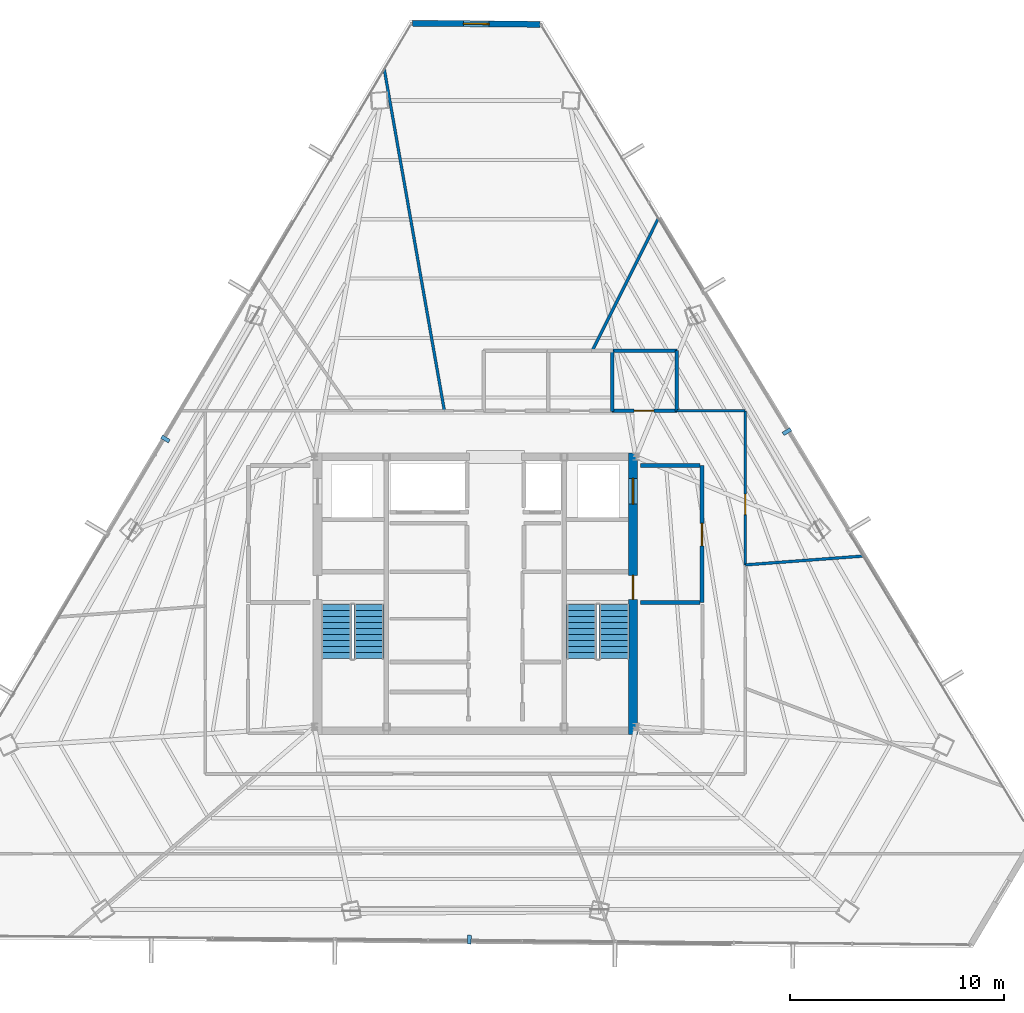
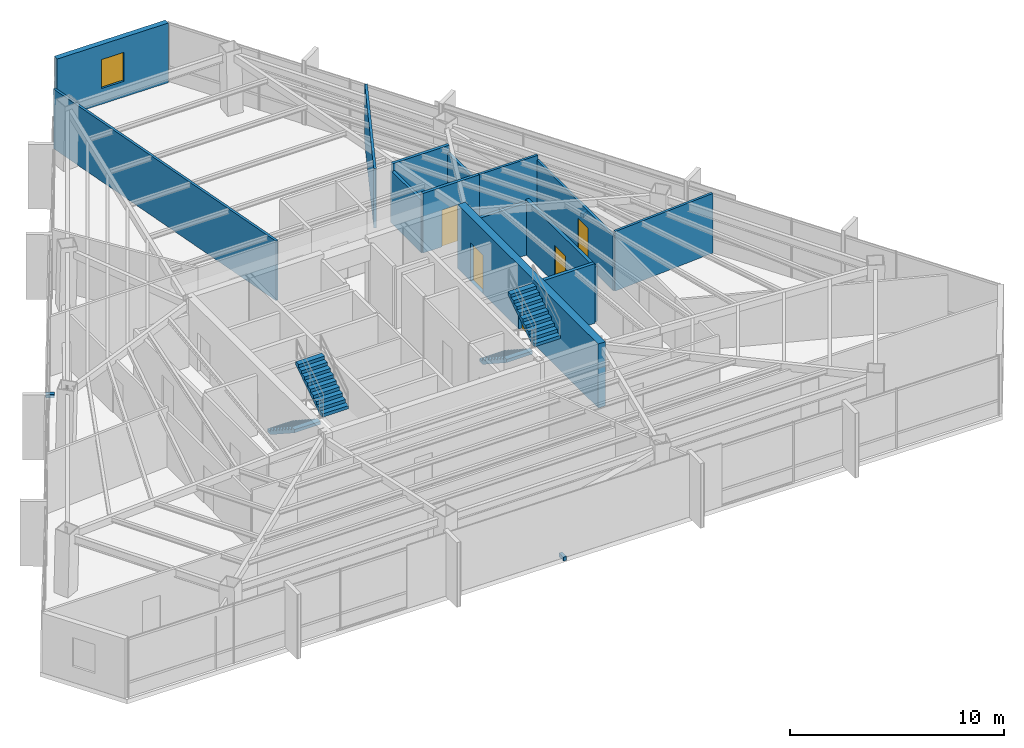
# One storey, part 44 of 47: 14 walls, 5 doors, 4 stair flights, 3 discrete accessories, 1 window, 6 openings, 2 elements without a shape of their own.
"""IFC4 building model written with IfcOpenShell, lengths in metres."""

from ifc_helpers import new_model, si_unit, direction, frame, frame_2d, origin, origin_2d, place, context, subcontext, project, spatial, polyline, rectangle, outline, extrude, source, transform, mapped, material, layer, layer_set, type_object, type_shapes, element, fill, aggregate, save


model = new_model("IFC4")

# Units and contexts
model_context = context("Model", 3, precision=1e-05, world=origin(), true_north=direction((0.0, 1.0)))
body_context = subcontext(model_context, "Body", "Model", "MODEL_VIEW")
ifc_project = project(units=[si_unit("LENGTHUNIT", "METRE"), si_unit("AREAUNIT", "SQUARE_METRE"), si_unit("VOLUMEUNIT", "CUBIC_METRE"), si_unit("PLANEANGLEUNIT", "RADIAN"), si_unit("MASSUNIT", "GRAM", prefix="KILO")], contexts=[model_context])

# Site, building, storey
site_placement = place(None, origin())
site = spatial("IfcSite", under=ifc_project, at=site_placement, CompositionType="ELEMENT")
building_placement = place(site_placement, origin())
building = spatial("IfcBuilding", under=site, at=building_placement, Name="Caelisora Broadcast Tower", CompositionType="ELEMENT")
storey_placement = place(building_placement, frame((0.0, 0.0, 229.85009765625)))
storey = spatial("IfcBuildingStorey", under=building, at=storey_placement, Name="L60", CompositionType="ELEMENT", Elevation=229.85009765625)

# Wall, openings, doors
ifc_material_1 = material(Name="Concrete 40 MPa (AS 3600 N40)", Category="concrete")
ifc_layer_1 = layer(ifc_material_1, 0.39990234375, Name="Concrete 40 MPa (AS 3600 N40)")
ifc_layer_set_1 = layer_set([ifc_layer_1], Name="Concrete 40 MPa (AS 3600 N40)")
wall_type_1 = type_object("IfcWallType", Name="CW3", PredefinedType="SHEAR", material=ifc_layer_set_1)
wall_1_placement = place(storey_placement, frame((45.360107421875, 17.050048828125, 0.0), z_axis=(0.0, 0.0, 1.0), x_axis=(0.0, 1.0, 0.0)))
wall_1 = element("IfcWall", 1, at=wall_1_placement, inside=storey, type_object=wall_type_1, Name="L60 core shear wall CW3", PredefinedType="SHEAR", context=body_context, shape_type="SweptSolid", body=[
    extrude(rectangle(XDim=13.125, YDim=0.39990234375, at=frame_2d((6.5625, 0.0))), origin(), (0.0, 0.0, 1.0), 3.64990234375),
])
opening_1_placement = place(wall_1_placement, frame((6.300048828125, 0.0, 0.0)))
opening_1 = element("IfcOpeningElement", 2, at=opening_1_placement, cuts=wall_1, Name="Opening FD04", PredefinedType="OPENING", context=body_context, shape_type="SweptSolid", body=[
    extrude(rectangle(XDim=1.1201171875, YDim=2.14990234375, at=frame_2d((0.56005859375, 1.074951171875))), frame((0.0, 0.2119140625, 0.0), z_axis=(0.0, -1.0, 0.0), x_axis=(1.0, 0.0, 0.0)), (0.0, 0.0, 1.0), 0.423828125),
])
opening_2_placement = place(wall_1_placement, frame((10.75, 0.0, 0.0)))
opening_2 = element("IfcOpeningElement", 3, at=opening_2_placement, cuts=wall_1, Name="Opening LD04", PredefinedType="OPENING", context=body_context, shape_type="SweptSolid", body=[
    extrude(rectangle(XDim=1.199951171875, YDim=2.199951171875, at=frame_2d((0.60009765625, 1.10009765625))), frame((0.0, 0.2119140625, 0.0), z_axis=(0.0, -1.0, 0.0), x_axis=(1.0, 0.0, 0.0)), (0.0, 0.0, 1.0), 0.423828125),
])
ifc_material_2 = material(Name="Pressurised Fire-Isolated Stair Door", Category="steel")
door_type_1 = type_object("IfcDoorType", Name="FD04", OperationType="NOTDEFINED", PredefinedType="DOOR", material=ifc_material_2)
door_1_placement = place(opening_1_placement, origin())
door_1 = element("IfcDoor", 4, at=door_1_placement, inside=storey, type_object=door_type_1, Name="L60 door FD04 (L60-DR-ST2)", OperationType="SINGLE_SWING_RIGHT", OverallHeight=2.14990234375, OverallWidth=1.1201171875, PredefinedType="DOOR", context=body_context, shape_type="SweptSolid", body=[
    extrude(rectangle(XDim=1.1201171875, YDim=2.14990234375, at=frame_2d((0.56005859375, 1.074951171875))), frame((0.0, 0.02490234375, 0.0), z_axis=(0.0, -1.0, 0.0), x_axis=(1.0, 0.0, 0.0)), (0.0, 0.0, 1.0), 0.050048828125),
])
fill(opening_1, door_1)
ifc_material_3 = material(Name="Emergency Firefighting Lift Sliding Landing Door", Category="steel")
door_type_2 = type_object("IfcDoorType", Name="LD04", OperationType="NOTDEFINED", PredefinedType="DOOR", material=ifc_material_3)
door_2_placement = place(opening_2_placement, origin())
door_2 = element("IfcDoor", 5, at=door_2_placement, inside=storey, type_object=door_type_2, Name="L60 door LD04 (L60-LD-FFL2)", OperationType="SLIDING_TO_RIGHT", OverallHeight=2.199951171875, OverallWidth=1.199951171875, PredefinedType="DOOR", context=body_context, shape_type="SweptSolid", body=[
    extrude(rectangle(XDim=1.199951171875, YDim=2.199951171875, at=frame_2d((0.60009765625, 1.10009765625))), frame((0.0, 0.02490234375, 0.0), z_axis=(0.0, -1.0, 0.0), x_axis=(1.0, 0.0, 0.0)), (0.0, 0.0, 1.0), 0.050048828125),
])
fill(opening_2, door_2)

# Wall, opening, window
ifc_material_4 = material(Name="Insulated Terracotta Spandrel Wall System", Category="masonry")
ifc_layer_2 = layer(ifc_material_4, 0.280029296875, Name="Insulated Terracotta Spandrel Wall System")
ifc_layer_set_2 = layer_set([ifc_layer_2], Name="Insulated Terracotta Spandrel Wall System")
wall_type_2 = type_object("IfcWallType", Name="EW1", PredefinedType="STANDARD", material=ifc_layer_set_2)
wall_2_placement = place(storey_placement, frame((35.06396484375, 50.235595703125, 0.0), z_axis=(0.0, 0.0, 1.0), x_axis=(0.999961670369, -0.008755443618, 0.0)))
wall_2 = element("IfcWall", 6, at=wall_2_placement, inside=storey, type_object=wall_type_2, Name="L60 exterior envelope wall EW1", PredefinedType="STANDARD", context=body_context, shape_type="SweptSolid", body=[
    extrude(rectangle(XDim=5.96728515625, YDim=0.280029296875, at=frame_2d((2.983642578125, 0.0))), origin(), (0.0, 0.0, 1.0), 3.39990234375),
])
opening_3_placement = place(wall_2_placement, frame((2.3798828125, 0.0, 0.89990234375)))
opening_3 = element("IfcOpeningElement", 7, at=opening_3_placement, cuts=wall_2, Name="Opening W03", PredefinedType="OPENING", context=body_context, shape_type="SweptSolid", body=[
    extrude(rectangle(XDim=1.199951171875, YDim=1.64990234375, at=frame_2d((0.60009765625, 0.824951171875))), frame((0.0, 0.152099609375, 0.0), z_axis=(0.0, -1.0, 0.0), x_axis=(1.0, 0.0, 0.0)), (0.0, 0.0, 1.0), 0.303955078125),
])
ifc_material_5 = material(Name="Double Glazed Corner Vision Window", Category="glass")
window_type = type_object("IfcWindowType", Name="W03", PartitioningType="SINGLE_PANEL", PredefinedType="WINDOW", material=ifc_material_5)
window_placement = place(opening_3_placement, origin())
window = element("IfcWindow", 8, at=window_placement, inside=storey, type_object=window_type, Name="L60 window W03 (L60-WN-CH8)", OverallHeight=1.64990234375, OverallWidth=1.199951171875, PartitioningType="SINGLE_PANEL", PredefinedType="WINDOW", context=body_context, shape_type="SweptSolid", body=[
    extrude(rectangle(XDim=1.199951171875, YDim=1.64990234375, at=frame_2d((0.60009765625, 0.824951171875))), frame((0.0, 0.030029296875, 0.0), z_axis=(0.0, -1.0, 0.0), x_axis=(1.0, 0.0, 0.0)), (0.0, 0.0, 1.0), 0.06005859375),
])
fill(opening_3, window)

# Wall, opening, door
ifc_material_6 = material(Name="Fire-Rated Gypsum Shaft and Compartment Wall", Category="gypsum")
ifc_layer_3 = layer(ifc_material_6, 0.179931640625, Name="Fire-Rated Gypsum Shaft and Compartment Wall")
ifc_layer_set_3 = layer_set([ifc_layer_3], Name="Fire-Rated Gypsum Shaft and Compartment Wall")
wall_type_3 = type_object("IfcWallType", Name="PW2", PredefinedType="PARTITIONING", material=ifc_layer_set_3)
wall_3_placement = place(storey_placement, frame((48.580078125, 23.199951171875, 0.0), z_axis=(0.0, 0.0, 1.0), x_axis=(0.0, 1.0, 0.0)))
wall_3 = element("IfcWall", 9, at=wall_3_placement, inside=storey, type_object=wall_type_3, Name="L60 fire compartment wall PW2", PredefinedType="PARTITIONING", context=body_context, shape_type="SweptSolid", body=[
    extrude(rectangle(XDim=6.400146484375, YDim=0.179931640625, at=frame_2d((3.2001953125, 0.0))), origin(), (0.0, 0.0, 1.0), 3.128662109375),
])
opening_4_placement = place(wall_3_placement, frame((2.64990234375, 0.0, 0.0)))
opening_4 = element("IfcOpeningElement", 10, at=opening_4_placement, cuts=wall_3, Name="Opening FD02", PredefinedType="OPENING", context=body_context, shape_type="SweptSolid", body=[
    extrude(rectangle(XDim=1.050048828125, YDim=2.14990234375, at=frame_2d((0.52490234375, 1.074951171875))), frame((0.0, 0.10205078125, 0.0), z_axis=(0.0, -1.0, 0.0), x_axis=(1.0, 0.0, 0.0)), (0.0, 0.0, 1.0), 0.203857421875),
])
ifc_material_7 = material(Name="Single-Leaf Steel Fire Lobby Door", Category="steel")
door_type_3 = type_object("IfcDoorType", Name="FD02", OperationType="NOTDEFINED", PredefinedType="DOOR", material=ifc_material_7)
door_3_placement = place(opening_4_placement, origin())
door_3 = element("IfcDoor", 11, at=door_3_placement, inside=storey, type_object=door_type_3, Name="L60 door FD02 (L60-DR-P04D1)", OperationType="SINGLE_SWING_RIGHT", OverallHeight=2.14990234375, OverallWidth=1.050048828125, PredefinedType="DOOR", context=body_context, shape_type="SweptSolid", body=[
    extrude(rectangle(XDim=1.050048828125, YDim=2.14990234375, at=frame_2d((0.52490234375, 1.074951171875))), frame((0.0, 0.02490234375, 0.0), z_axis=(0.0, -1.0, 0.0), x_axis=(1.0, 0.0, 0.0)), (0.0, 0.0, 1.0), 0.050048828125),
])
fill(opening_4, door_3)

# Walls
wall_4_placement = place(storey_placement, frame((45.719970703125, 23.199951171875, 0.0), z_axis=(0.0, 0.0, 1.0), x_axis=(1.0, 0.0, 0.0)))
element("IfcWall", 12, at=wall_4_placement, inside=storey, type_object=wall_type_3, Name="L60 fire compartment wall PW2", PredefinedType="PARTITIONING", context=body_context, shape_type="SweptSolid", body=[
    extrude(rectangle(XDim=2.760009765625, YDim=0.179931640625, at=frame_2d((1.3798828125, 0.0))), origin(), (0.0, 0.0, 1.0), 3.39990234375),
])
wall_5_placement = place(storey_placement, frame((45.719970703125, 29.60009765625, 0.0), z_axis=(0.0, 0.0, 1.0), x_axis=(1.0, 0.0, 0.0)))
element("IfcWall", 13, at=wall_5_placement, inside=storey, type_object=wall_type_3, Name="L60 fire compartment wall PW2", PredefinedType="PARTITIONING", context=body_context, shape_type="SweptSolid", body=[
    extrude(rectangle(XDim=2.760009765625, YDim=0.179931640625, at=frame_2d((1.3798828125, 0.0))), origin(), (0.0, 0.0, 1.0), 2.98486328125),
])
ifc_material_8 = material(Name="Acoustic Steel-Stud Plasterboard Partition", Category="gypsum")
ifc_layer_4 = layer(ifc_material_8, 0.1298828125, Name="Acoustic Steel-Stud Plasterboard Partition")
ifc_layer_set_4 = layer_set([ifc_layer_4], Name="Acoustic Steel-Stud Plasterboard Partition")
wall_type_4 = type_object("IfcWallType", Name="PW3", PredefinedType="PARTITIONING", material=ifc_layer_set_4)
wall_6_placement = place(storey_placement, frame((33.754150390625, 48.092529296875, 0.0), z_axis=(0.0, 0.0, 1.0), x_axis=(0.17333175086, -0.984863495183, 0.0)))
element("IfcWall", 14, at=wall_6_placement, inside=storey, type_object=wall_type_4, Name="L60 internal partition PW3", PredefinedType="PARTITIONING", context=body_context, shape_type="SweptSolid", body=[
    extrude(rectangle(XDim=16.182373046875, YDim=0.1298828125, at=frame_2d((8.09130859375, 0.0))), origin(), (0.0, 0.0, 1.0), 3.39990234375),
])

# Wall, opening, door
wall_7_placement = place(storey_placement, frame((50.60009765625, 24.965087890625, 0.0), z_axis=(0.0, 0.0, 1.0), x_axis=(0.0, 1.0, 0.0)))
wall_7 = element("IfcWall", 15, at=wall_7_placement, inside=storey, type_object=wall_type_4, Name="L60 internal partition PW3", PredefinedType="PARTITIONING", context=body_context, shape_type="SweptSolid", body=[
    extrude(rectangle(XDim=7.179931640625, YDim=0.1298828125, at=frame_2d((3.58984375, 0.0))), origin(), (0.0, 0.0, 1.0), 3.128662109375),
])
opening_5_placement = place(wall_7_placement, frame((2.340087890625, 0.0, 0.0)))
opening_5 = element("IfcOpeningElement", 16, at=opening_5_placement, cuts=wall_7, Name="Opening D01", PredefinedType="OPENING", context=body_context, shape_type="SweptSolid", body=[
    extrude(rectangle(XDim=0.9599609375, YDim=2.14990234375, at=frame_2d((0.47998046875, 1.074951171875))), frame((0.0, 0.076904296875, 0.0), z_axis=(0.0, -1.0, 0.0), x_axis=(1.0, 0.0, 0.0)), (0.0, 0.0, 1.0), 0.15380859375),
])
ifc_material_9 = material(Name="Solid-Core Timber Acoustic Office Door", Category="wood")
door_type_4 = type_object("IfcDoorType", Name="D01", OperationType="NOTDEFINED", PredefinedType="DOOR", material=ifc_material_9)
door_4_placement = place(opening_5_placement, origin())
door_4 = element("IfcDoor", 17, at=door_4_placement, inside=storey, type_object=door_type_4, Name="L60 door D01 (L60-DR-P40D1)", OperationType="SINGLE_SWING_LEFT", OverallHeight=2.14990234375, OverallWidth=0.9599609375, PredefinedType="DOOR", context=body_context, shape_type="SweptSolid", body=[
    extrude(rectangle(XDim=0.9599609375, YDim=2.14990234375, at=frame_2d((0.47998046875, 1.074951171875))), frame((0.0, 0.02490234375, 0.0), z_axis=(0.0, -1.0, 0.0), x_axis=(1.0, 0.0, 0.0)), (0.0, 0.0, 1.0), 0.050048828125),
])
fill(opening_5, door_4)

# Walls
wall_8_placement = place(storey_placement, frame((43.4619140625, 34.9541015625, 0.0), z_axis=(0.0, 0.0, 1.0), x_axis=(0.446662598545, 0.894702477398, 0.0)))
element("IfcWall", 18, at=wall_8_placement, inside=storey, type_object=wall_type_4, Name="L60 internal partition PW3", PredefinedType="PARTITIONING", context=body_context, shape_type="SweptSolid", body=[
    extrude(rectangle(XDim=6.913330078125, YDim=0.1298828125, at=frame_2d((3.45654296875, 0.0))), origin(), (0.0, 0.0, 1.0), 3.39990234375),
])
wall_9_placement = place(storey_placement, frame((50.60498046875, 24.9599609375, 0.0), z_axis=(0.0, 0.0, 1.0), x_axis=(0.99720549178, 0.074707477295, 0.0)))
element("IfcWall", 19, at=wall_9_placement, inside=storey, type_object=wall_type_4, Name="L60 internal partition PW3", PredefinedType="PARTITIONING", context=body_context, shape_type="SweptSolid", body=[
    extrude(rectangle(XDim=5.51953125, YDim=0.1298828125, at=frame_2d((2.759765625, 0.0))), origin(), (0.0, 0.0, 1.0), 3.39990234375),
])
wall_10_placement = place(storey_placement, frame((50.594970703125, 32.14990234375, 0.0), z_axis=(0.0, 0.0, 1.0), x_axis=(-1.0, 0.0, 0.0)))
element("IfcWall", 20, at=wall_10_placement, inside=storey, type_object=wall_type_4, Name="L60 internal partition PW3", PredefinedType="PARTITIONING", context=body_context, shape_type="SweptSolid", body=[
    extrude(rectangle(XDim=3.18994140625, YDim=0.1298828125, at=frame_2d((1.594970703125, 0.0))), origin(), (0.0, 0.0, 1.0), 3.39990234375),
])

# Wall, opening, door
ifc_material_10 = material(Name="Moisture-Resistant Wet Plumbing Service Wall", Category="gypsum")
ifc_layer_5 = layer(ifc_material_10, 0.159912109375, Name="Moisture-Resistant Wet Plumbing Service Wall")
ifc_layer_set_5 = layer_set([ifc_layer_5], Name="Moisture-Resistant Wet Plumbing Service Wall")
wall_type_5 = type_object("IfcWallType", Name="PW4", PredefinedType="PLUMBINGWALL", material=ifc_layer_set_5)
wall_11_placement = place(storey_placement, frame((44.375, 32.14990234375, 0.0), z_axis=(0.0, 0.0, 1.0), x_axis=(1.0, 0.0, 0.0)))
wall_11 = element("IfcWall", 21, at=wall_11_placement, inside=storey, type_object=wall_type_5, Name="L60 wet plumbing wall PW4", PredefinedType="PLUMBINGWALL", context=body_context, shape_type="SweptSolid", body=[
    extrude(rectangle(XDim=3.050048828125, YDim=0.159912109375, at=frame_2d((1.52490234375, 0.0))), origin(), (0.0, 0.0, 1.0), 3.39990234375),
])
opening_6_placement = place(wall_11_placement, frame((1.034912109375, 0.0, 0.0)))
opening_6 = element("IfcOpeningElement", 22, at=opening_6_placement, cuts=wall_11, Name="Opening D03", PredefinedType="OPENING", context=body_context, shape_type="SweptSolid", body=[
    extrude(rectangle(XDim=0.919921875, YDim=2.10009765625, at=frame_2d((0.4599609375, 1.050048828125))), frame((0.0, 0.092041015625, 0.0), z_axis=(0.0, -1.0, 0.0), x_axis=(1.0, 0.0, 0.0)), (0.0, 0.0, 1.0), 0.183837890625),
])
ifc_material_11 = material(Name="Laminate Moisture-Resistant Amenity WC Door", Category="wood")
door_type_5 = type_object("IfcDoorType", Name="D03", OperationType="NOTDEFINED", PredefinedType="DOOR", material=ifc_material_11)
door_5_placement = place(opening_6_placement, origin())
door_5 = element("IfcDoor", 23, at=door_5_placement, inside=storey, type_object=door_type_5, Name="L60 door D03 (L60-DR-P19D1)", OperationType="SINGLE_SWING_LEFT", OverallHeight=2.10009765625, OverallWidth=0.919921875, PredefinedType="DOOR", context=body_context, shape_type="SweptSolid", body=[
    extrude(rectangle(XDim=0.919921875, YDim=2.10009765625, at=frame_2d((0.4599609375, 1.050048828125))), frame((0.0, 0.02490234375, 0.0), z_axis=(0.0, -1.0, 0.0), x_axis=(1.0, 0.0, 0.0)), (0.0, 0.0, 1.0), 0.050048828125),
])
fill(opening_6, door_5)

# Walls
wall_12_placement = place(storey_placement, frame((47.425048828125, 34.949951171875, 0.0), z_axis=(0.0, 0.0, 1.0), x_axis=(-1.0, 0.0, 0.0)))
element("IfcWall", 24, at=wall_12_placement, inside=storey, type_object=wall_type_5, Name="L60 wet plumbing wall PW4", PredefinedType="PLUMBINGWALL", context=body_context, shape_type="SweptSolid", body=[
    extrude(rectangle(XDim=3.050048828125, YDim=0.159912109375, at=frame_2d((1.52490234375, 0.0))), origin(), (0.0, 0.0, 1.0), 3.39990234375),
])
for number, where, z_axis, x_axis, name in (
    (25, (44.39990234375, 32.125, 0.0), (0.0, 0.0, 1.0), (0.0, 1.0, 0.0), "L60 wet plumbing wall PW4"),
    (26, (47.39990234375, 32.125, 0.0), (0.0, 0.0, 1.0), (0.0, 1.0, 0.0), "L60 wet plumbing wall PW4"),
):
    element("IfcWall", number, at=place(storey_placement, frame(where, z_axis=z_axis, x_axis=x_axis)), inside=storey, type_object=wall_type_5, Name=name, PredefinedType="PLUMBINGWALL", context=body_context, shape_type="SweptSolid", body=[
        extrude(rectangle(XDim=2.85009765625, YDim=0.159912109375, at=frame_2d((1.425048828125, 0.0))), origin(), (0.0, 0.0, 1.0), 2.98486328125),
    ])

# Stair, stair flights
stair_type_1 = type_object("IfcStairType", Name="ST-1", PredefinedType="HALF_TURN_STAIR", material=ifc_material_1)
stair_1_placement = place(storey_placement, origin())
stair_1 = element("IfcStair", 27, at=stair_1_placement, inside=storey, type_object=stair_type_1, Name="L60 West Fire-Isolated Tower Stair", PredefinedType="HALF_TURN_STAIR")
stair_flight_type = type_object("IfcStairFlightType", Name="STF-4", PredefinedType="STRAIGHT", material=ifc_material_1)
stair_flight_1_placement = place(storey_placement, frame((31.52001953125, 23.10009765625, 0.0), z_axis=(0.0, 0.0, 1.0), x_axis=(0.0, -1.0, 0.0)))
stair_flight_1 = element("IfcStairFlight", 28, at=stair_flight_1_placement, type_object=stair_flight_type, Name="ST-1 flight 1", NumberOfRisers=10, NumberOfTreads=9, PredefinedType="STRAIGHT", RiserHeight=0.1825, TreadLength=0.28, context=body_context, shape_type="SweptSolid", body=[
    extrude(outline(polyline([(0.0, 0.0), (0.0, 0.1826171875), (0.280029296875, 0.1826171875), (0.280029296875, 0.364990234375), (0.56005859375, 0.364990234375), (0.56005859375, 0.547607421875), (0.840087890625, 0.547607421875), (0.840087890625, 0.72998046875), (1.1201171875, 0.72998046875), (1.1201171875, 0.91259765625), (1.39990234375, 0.91259765625), (1.39990234375, 1.094970703125), (1.679931640625, 1.094970703125), (1.679931640625, 1.277587890625), (1.9599609375, 1.277587890625), (1.9599609375, 1.4599609375), (2.239990234375, 1.4599609375), (2.239990234375, 1.642578125), (2.52001953125, 1.642578125), (2.52001953125, 1.824951171875), (2.52001953125, 1.463623046875), (0.2744140625, 0.0), (0.0, 0.0)])), frame((0.0, 0.699951171875, 0.0), z_axis=(0.0, -1.0, 0.0), x_axis=(1.0, 0.0, 0.0)), (0.0, 0.0, 1.0), 1.39990234375),
])
stair_flight_2_placement = place(storey_placement, frame((33.0400390625, 20.580078125, 1.824951171875), z_axis=(0.0, 0.0, 1.0), x_axis=(0.0, 1.0, 0.0)))
stair_flight_2 = element("IfcStairFlight", 29, at=stair_flight_2_placement, type_object=stair_flight_type, Name="ST-1 flight 2", NumberOfRisers=10, NumberOfTreads=9, PredefinedType="STRAIGHT", RiserHeight=0.1825, TreadLength=0.28, context=body_context, shape_type="SweptSolid", body=[
    extrude(outline(polyline([(0.0, 0.0), (0.0, 0.1826171875), (0.280029296875, 0.1826171875), (0.280029296875, 0.364990234375), (0.56005859375, 0.364990234375), (0.56005859375, 0.547607421875), (0.840087890625, 0.547607421875), (0.840087890625, 0.72998046875), (1.1201171875, 0.72998046875), (1.1201171875, 0.91259765625), (1.39990234375, 0.91259765625), (1.39990234375, 1.094970703125), (1.679931640625, 1.094970703125), (1.679931640625, 1.277587890625), (1.9599609375, 1.277587890625), (1.9599609375, 1.4599609375), (2.239990234375, 1.4599609375), (2.239990234375, 1.642578125), (2.52001953125, 1.642578125), (2.52001953125, 1.824951171875), (2.52001953125, 1.463623046875), (0.2744140625, 0.0), (0.0, 0.0)])), frame((0.0, 0.699951171875, 0.0), z_axis=(0.0, -1.0, 0.0), x_axis=(1.0, 0.0, 0.0)), (0.0, 0.0, 1.0), 1.39990234375),
])
aggregate(stair_1, [stair_flight_1, stair_flight_2])

stair_type_2 = type_object("IfcStairType", Name="ST-2", PredefinedType="HALF_TURN_STAIR", material=ifc_material_1)
stair_2_placement = place(storey_placement, origin())
stair_2 = element("IfcStair", 30, at=stair_2_placement, inside=storey, type_object=stair_type_2, Name="L60 East Fire-Isolated Tower Stair", PredefinedType="HALF_TURN_STAIR")
stair_flight_3_placement = place(storey_placement, frame((42.9599609375, 23.10009765625, 0.0), z_axis=(0.0, 0.0, 1.0), x_axis=(0.0, -1.0, 0.0)))
stair_flight_3 = element("IfcStairFlight", 31, at=stair_flight_3_placement, type_object=stair_flight_type, Name="ST-2 flight 1", NumberOfRisers=10, NumberOfTreads=9, PredefinedType="STRAIGHT", RiserHeight=0.1825, TreadLength=0.28, context=body_context, shape_type="SweptSolid", body=[
    extrude(outline(polyline([(0.0, 0.0), (0.0, 0.1826171875), (0.280029296875, 0.1826171875), (0.280029296875, 0.364990234375), (0.56005859375, 0.364990234375), (0.56005859375, 0.547607421875), (0.840087890625, 0.547607421875), (0.840087890625, 0.72998046875), (1.1201171875, 0.72998046875), (1.1201171875, 0.91259765625), (1.39990234375, 0.91259765625), (1.39990234375, 1.094970703125), (1.679931640625, 1.094970703125), (1.679931640625, 1.277587890625), (1.9599609375, 1.277587890625), (1.9599609375, 1.4599609375), (2.239990234375, 1.4599609375), (2.239990234375, 1.642578125), (2.52001953125, 1.642578125), (2.52001953125, 1.824951171875), (2.52001953125, 1.463623046875), (0.2744140625, 0.0), (0.0, 0.0)])), frame((0.0, 0.699951171875, 0.0), z_axis=(0.0, -1.0, 0.0), x_axis=(1.0, 0.0, 0.0)), (0.0, 0.0, 1.0), 1.39990234375),
])
stair_flight_4_placement = place(storey_placement, frame((44.47998046875, 20.580078125, 1.824951171875), z_axis=(0.0, 0.0, 1.0), x_axis=(0.0, 1.0, 0.0)))
stair_flight_4 = element("IfcStairFlight", 32, at=stair_flight_4_placement, type_object=stair_flight_type, Name="ST-2 flight 2", NumberOfRisers=10, NumberOfTreads=9, PredefinedType="STRAIGHT", RiserHeight=0.1825, TreadLength=0.28, context=body_context, shape_type="SweptSolid", body=[
    extrude(outline(polyline([(0.0, 0.0), (0.0, 0.1826171875), (0.280029296875, 0.1826171875), (0.280029296875, 0.364990234375), (0.56005859375, 0.364990234375), (0.56005859375, 0.547607421875), (0.840087890625, 0.547607421875), (0.840087890625, 0.72998046875), (1.1201171875, 0.72998046875), (1.1201171875, 0.91259765625), (1.39990234375, 0.91259765625), (1.39990234375, 1.094970703125), (1.679931640625, 1.094970703125), (1.679931640625, 1.277587890625), (1.9599609375, 1.277587890625), (1.9599609375, 1.4599609375), (2.239990234375, 1.4599609375), (2.239990234375, 1.642578125), (2.52001953125, 1.642578125), (2.52001953125, 1.824951171875), (2.52001953125, 1.463623046875), (0.2744140625, 0.0), (0.0, 0.0)])), frame((0.0, 0.699951171875, 0.0), z_axis=(0.0, -1.0, 0.0), x_axis=(1.0, 0.0, 0.0)), (0.0, 0.0, 1.0), 1.39990234375),
])
aggregate(stair_2, [stair_flight_3, stair_flight_4])

# Discrete accessories
ifc_material_12 = material(Name="Steel Grade 350 (AS/NZS 3679.1)", Category="steel")
discrete_accessory_type = type_object("IfcDiscreteAccessoryType", Name="BRK-1", PredefinedType="BRACKET", material=ifc_material_12)
shared_shape = source(origin(), body_context, "Body", "SweptSolid", [
    extrude(rectangle(XDim=0.179931640625, YDim=0.419921875, at=origin_2d()), origin(), (0.0, 0.0, 1.0), 0.219970703125),
])
type_shapes(discrete_accessory_type, [shared_shape])
for number, where, z_axis, x_axis, name in (
    (33, (23.541748046875, 30.837890625, -0.16015625), (0.0, 0.0, 1.0), (-0.510843031866, -0.859674006117, 0.0), "L60 solar screen outrigger bracket #1"),
    (34, (37.72265625, 7.467529296875, -0.16015625), (0.0, 0.0, 1.0), (0.999960384766, -0.008901061644, 0.0), "L60 solar screen outrigger bracket #2"),
    (35, (52.547607421875, 31.17919921875, -0.16015625), (0.0, 0.0, 1.0), (-0.518474806022, 0.855092904614, 0.0), "L60 solar screen outrigger bracket #3"),
):
    element("IfcDiscreteAccessory", number, at=place(storey_placement, frame(where, z_axis=z_axis, x_axis=x_axis)), inside=storey, type_object=discrete_accessory_type, Name=name, PredefinedType="BRACKET", context=body_context, shape_type="MappedRepresentation", body=[
        mapped(shared_shape, transform((0.0, 0.0, 0.0), scale=1.0)),
    ])

save(model, "model.ifc")
